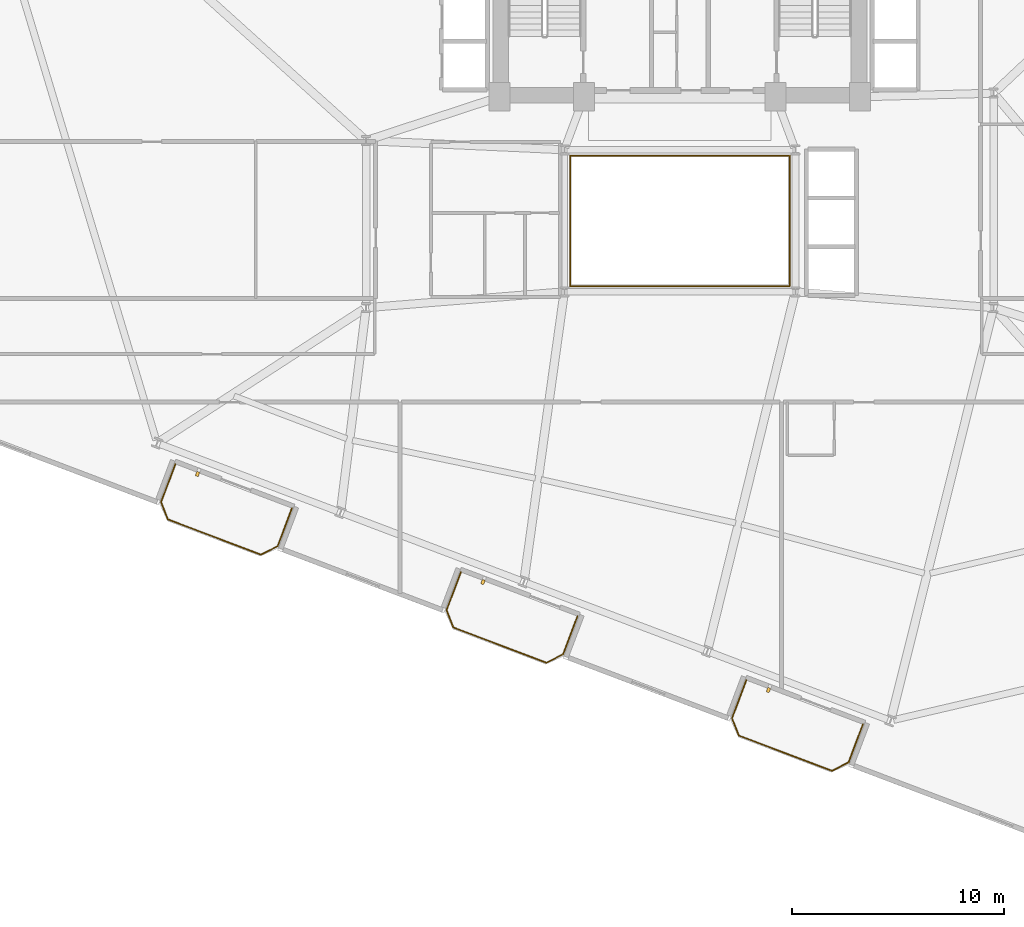
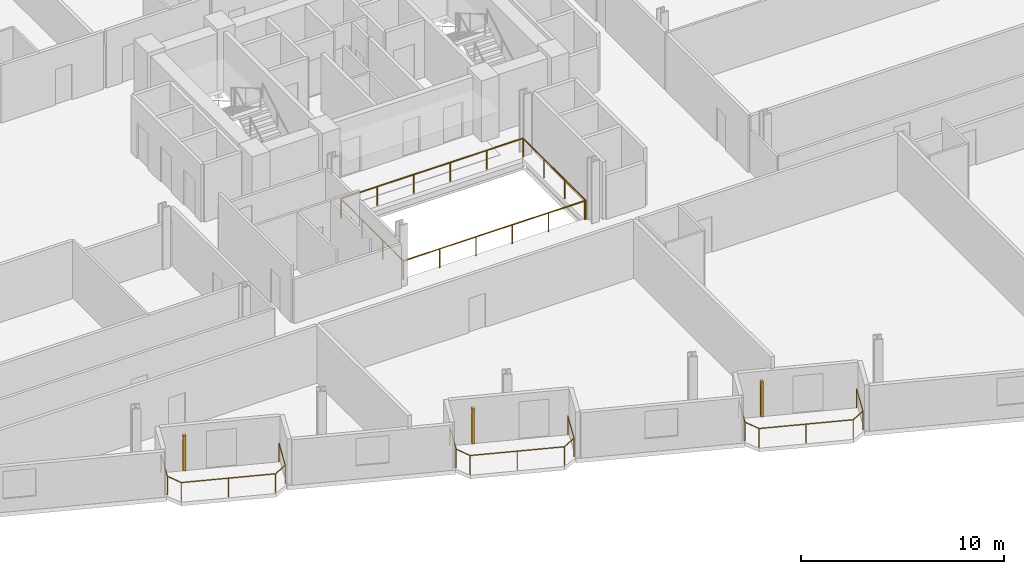
# One storey, part 22 of 24: 5 railings, 3 shading devices.
"""IFC4 building model written with IfcOpenShell, lengths in metres."""

from ifc_helpers import new_model, si_unit, direction, frame, origin, origin_2d, place, context, subcontext, project, spatial, rectangle, circle, extrude, source, transform, mapped, material, type_object, element, save


model = new_model("IFC4")

# Units and contexts
model_context = context("Model", 3, precision=1e-05, world=origin(), true_north=direction((0.0, 1.0)))
body_context = subcontext(model_context, "Body", "Model", "MODEL_VIEW")
ifc_project = project(units=[si_unit("LENGTHUNIT", "METRE"), si_unit("AREAUNIT", "SQUARE_METRE"), si_unit("VOLUMEUNIT", "CUBIC_METRE"), si_unit("PLANEANGLEUNIT", "RADIAN"), si_unit("MASSUNIT", "GRAM", prefix="KILO")], contexts=[model_context])

# Site, building, storey
site_placement = place(None, origin())
site = spatial("IfcSite", under=ifc_project, at=site_placement, CompositionType="ELEMENT")
building_placement = place(site_placement, origin())
building = spatial("IfcBuilding", under=site, at=building_placement, Name="Varnelok Gate Tower", CompositionType="ELEMENT")
storey_placement = place(building_placement, frame((0.0, 0.0, 94.699951171875)))
storey = spatial("IfcBuildingStorey", under=building, at=storey_placement, Name="L23", CompositionType="ELEMENT", Elevation=94.699951171875)

# Railings
ifc_material_1 = material(Name="Tempered Laminated Balustrade Glass", Category="glass")
railing_type_1 = type_object("IfcRailingType", Name="RL-ATR-GUARD1150", PredefinedType="GUARDRAIL", material=ifc_material_1)
railing_1_placement = place(storey_placement, frame((34.02001953125, 25.929931640625, 0.0)))
element("IfcRailing", 1, at=railing_1_placement, inside=storey, type_object=railing_type_1, Name="L23 Internal Atrium South-West Guardrail", PredefinedType="GUARDRAIL", context=body_context, shape_type="SweptSolid", body=[
    extrude(circle(Radius=0.02392578125, at=origin_2d()), frame((0.0, 0.0, 1.1259765625), z_axis=(0.0, -1.0, 0.0), x_axis=(1.0, 0.0, 0.0)), (0.0, 0.0, 1.0), 6.10986328125),
    extrude(circle(Radius=0.02392578125, at=origin_2d()), frame((0.0, -6.10986328125, 1.1259765625), z_axis=(1.0, 0.0, 0.0), x_axis=(0.0, 1.0, 0.0)), (0.0, 0.0, 1.0), 10.31005859375),
    extrude(circle(Radius=0.02099609375, at=origin_2d()), origin(), (0.0, 0.0, 1.0), 1.101806640625),
    extrude(circle(Radius=0.02099609375, at=origin_2d()), frame((0.0, -2.03662109375, 0.0)), (0.0, 0.0, 1.0), 1.101806640625),
    extrude(circle(Radius=0.02099609375, at=origin_2d()), frame((0.0, -4.0732421875, 0.0)), (0.0, 0.0, 1.0), 1.101806640625),
    extrude(circle(Radius=0.02099609375, at=origin_2d()), frame((0.0, -6.10986328125, 0.0)), (0.0, 0.0, 1.0), 1.101806640625),
    extrude(circle(Radius=0.02099609375, at=origin_2d()), frame((2.06201171875, -6.10986328125, 0.0)), (0.0, 0.0, 1.0), 1.101806640625),
    extrude(circle(Radius=0.02099609375, at=origin_2d()), frame((4.1240234375, -6.10986328125, 0.0)), (0.0, 0.0, 1.0), 1.101806640625),
    extrude(circle(Radius=0.02099609375, at=origin_2d()), frame((6.18603515625, -6.10986328125, 0.0)), (0.0, 0.0, 1.0), 1.101806640625),
    extrude(circle(Radius=0.02099609375, at=origin_2d()), frame((8.248046875, -6.10986328125, 0.0)), (0.0, 0.0, 1.0), 1.101806640625),
    extrude(circle(Radius=0.02099609375, at=origin_2d()), frame((10.31005859375, -6.10986328125, 0.0)), (0.0, 0.0, 1.0), 1.101806640625),
])
railing_2_placement = place(storey_placement, frame((44.3798828125, 19.820068359375, 0.0)))
element("IfcRailing", 2, at=railing_2_placement, inside=storey, type_object=railing_type_1, Name="L23 Internal Atrium North-East Guardrail", PredefinedType="GUARDRAIL", context=body_context, shape_type="SweptSolid", body=[
    extrude(circle(Radius=0.02392578125, at=origin_2d()), frame((0.0, 0.0, 1.1259765625), z_axis=(0.0, 1.0, 0.0), x_axis=(-1.0, 0.0, 0.0)), (0.0, 0.0, 1.0), 6.159912109375),
    extrude(circle(Radius=0.02392578125, at=origin_2d()), frame((0.0, 6.159912109375, 1.1259765625), z_axis=(-1.0, 0.0, 0.0), x_axis=(0.0, -1.0, 0.0)), (0.0, 0.0, 1.0), 10.35986328125),
    extrude(circle(Radius=0.02099609375, at=origin_2d()), origin(), (0.0, 0.0, 1.0), 1.101806640625),
    extrude(circle(Radius=0.02099609375, at=origin_2d()), frame((0.0, 2.05322265625, 0.0)), (0.0, 0.0, 1.0), 1.101806640625),
    extrude(circle(Radius=0.02099609375, at=origin_2d()), frame((0.0, 4.106689453125, 0.0)), (0.0, 0.0, 1.0), 1.101806640625),
    extrude(circle(Radius=0.02099609375, at=origin_2d()), frame((0.0, 6.159912109375, 0.0)), (0.0, 0.0, 1.0), 1.101806640625),
    extrude(circle(Radius=0.02099609375, at=origin_2d()), frame((-2.072021484375, 6.159912109375, 0.0)), (0.0, 0.0, 1.0), 1.101806640625),
    extrude(circle(Radius=0.02099609375, at=origin_2d()), frame((-4.14404296875, 6.159912109375, 0.0)), (0.0, 0.0, 1.0), 1.101806640625),
    extrude(circle(Radius=0.02099609375, at=origin_2d()), frame((-6.2158203125, 6.159912109375, 0.0)), (0.0, 0.0, 1.0), 1.101806640625),
    extrude(circle(Radius=0.02099609375, at=origin_2d()), frame((-8.287841796875, 6.159912109375, 0.0)), (0.0, 0.0, 1.0), 1.101806640625),
    extrude(circle(Radius=0.02099609375, at=origin_2d()), frame((-10.35986328125, 6.159912109375, 0.0)), (0.0, 0.0, 1.0), 1.101806640625),
])
ifc_material_2 = material(Name="Low-E Laminated Double Glazing IGU", Category="glass")
railing_type_2 = type_object("IfcRailingType", Name="RL-BALC-1150", PredefinedType="BALUSTRADE", material=ifc_material_2)
railing_3_placement = place(storey_placement, frame((15.40625, 11.42578125, 0.0)))
element("IfcRailing", 3, at=railing_3_placement, inside=storey, type_object=railing_type_2, Name="L23 South Terrace Balustrade 1", PredefinedType="BALUSTRADE", context=body_context, shape_type="SweptSolid", body=[
    extrude(circle(Radius=0.02392578125, at=origin_2d()), frame((0.0, 0.0, 1.1259765625), z_axis=(-0.354006333352, -0.935243025073, 0.0), x_axis=(0.935243025073, -0.354006333352, 0.0)), (0.0, 0.0, 1.0), 1.919921875),
    extrude(circle(Radius=0.02392578125, at=origin_2d()), frame((-0.6796875, -1.795654296875, 1.1259765625), z_axis=(0.366254584666, -0.930514685113, 0.0), x_axis=(0.930514685113, 0.366254584666, 0.0)), (0.0, 0.0, 1.0), 0.8779296875),
    extrude(circle(Radius=0.02392578125, at=origin_2d()), frame((-0.358154296875, -2.612548828125, 1.1259765625), z_axis=(0.935223045203, -0.354059113314, 0.0), x_axis=(0.354059113314, 0.935223045203, 0.0)), (0.0, 0.0, 1.0), 4.699951171875),
    extrude(circle(Radius=0.02392578125, at=origin_2d()), frame((4.037353515625, -4.276611328125, 1.1259765625), z_axis=(0.89078254773, 0.454429810487, 0.0), x_axis=(-0.454429810487, 0.89078254773, 0.0)), (0.0, 0.0, 1.0), 0.8779296875),
    extrude(circle(Radius=0.02392578125, at=origin_2d()), frame((4.8193359375, -3.877685546875, 1.1259765625), z_axis=(0.354117547856, 0.935200920819, 0.0), x_axis=(-0.935200920819, 0.354117547856, 0.0)), (0.0, 0.0, 1.0), 1.920166015625),
    extrude(circle(Radius=0.02099609375, at=origin_2d()), origin(), (0.0, 0.0, 1.0), 1.101806640625),
    extrude(circle(Radius=0.02099609375, at=origin_2d()), frame((-0.6796875, -1.795654296875, 0.0)), (0.0, 0.0, 1.0), 1.101806640625),
    extrude(circle(Radius=0.02099609375, at=origin_2d()), frame((-0.358154296875, -2.612548828125, 0.0)), (0.0, 0.0, 1.0), 1.101806640625),
    extrude(circle(Radius=0.02099609375, at=origin_2d()), frame((1.839599609375, -3.444580078125, 0.0)), (0.0, 0.0, 1.0), 1.101806640625),
    extrude(circle(Radius=0.02099609375, at=origin_2d()), frame((4.037353515625, -4.276611328125, 0.0)), (0.0, 0.0, 1.0), 1.101806640625),
    extrude(circle(Radius=0.02099609375, at=origin_2d()), frame((4.8193359375, -3.877685546875, 0.0)), (0.0, 0.0, 1.0), 1.101806640625),
    extrude(circle(Radius=0.02099609375, at=origin_2d()), frame((5.499267578125, -2.08203125, 0.0)), (0.0, 0.0, 1.0), 1.101806640625),
])
railing_4_placement = place(storey_placement, frame((28.87353515625, 6.3271484375, 0.0)))
element("IfcRailing", 4, at=railing_4_placement, inside=storey, type_object=railing_type_2, Name="L23 South Terrace Balustrade 2", PredefinedType="BALUSTRADE", context=body_context, shape_type="SweptSolid", body=[
    extrude(circle(Radius=0.02392578125, at=origin_2d()), frame((0.0, 0.0, 1.1259765625), z_axis=(-0.354117547856, -0.935200920819, 0.0), x_axis=(0.935200920819, -0.354117547856, 0.0)), (0.0, 0.0, 1.0), 1.920166015625),
    extrude(circle(Radius=0.02392578125, at=origin_2d()), frame((-0.679931640625, -1.795654296875, 1.1259765625), z_axis=(0.36659018357, -0.930382522036, 0.0), x_axis=(0.930382522036, 0.36659018357, 0.0)), (0.0, 0.0, 1.0), 0.877685546875),
    extrude(circle(Radius=0.02392578125, at=origin_2d()), frame((-0.358154296875, -2.6123046875, 1.1259765625), z_axis=(0.935223045203, -0.354059113314, 0.0), x_axis=(0.354059113314, 0.935223045203, 0.0)), (0.0, 0.0, 1.0), 4.699951171875),
    extrude(circle(Radius=0.02392578125, at=origin_2d()), frame((4.037353515625, -4.2763671875, 1.1259765625), z_axis=(0.89078254773, 0.454429810487, 0.0), x_axis=(-0.454429810487, 0.89078254773, 0.0)), (0.0, 0.0, 1.0), 0.8779296875),
    extrude(circle(Radius=0.02392578125, at=origin_2d()), frame((4.8193359375, -3.87744140625, 1.1259765625), z_axis=(0.354006333352, 0.935243025073, 0.0), x_axis=(-0.935243025073, 0.354006333352, 0.0)), (0.0, 0.0, 1.0), 1.919921875),
    extrude(circle(Radius=0.02099609375, at=origin_2d()), origin(), (0.0, 0.0, 1.0), 1.101806640625),
    extrude(circle(Radius=0.02099609375, at=origin_2d()), frame((-0.679931640625, -1.795654296875, 0.0)), (0.0, 0.0, 1.0), 1.101806640625),
    extrude(circle(Radius=0.02099609375, at=origin_2d()), frame((-0.358154296875, -2.6123046875, 0.0)), (0.0, 0.0, 1.0), 1.101806640625),
    extrude(circle(Radius=0.02099609375, at=origin_2d()), frame((1.839599609375, -3.4443359375, 0.0)), (0.0, 0.0, 1.0), 1.101806640625),
    extrude(circle(Radius=0.02099609375, at=origin_2d()), frame((4.037353515625, -4.2763671875, 0.0)), (0.0, 0.0, 1.0), 1.101806640625),
    extrude(circle(Radius=0.02099609375, at=origin_2d()), frame((4.8193359375, -3.87744140625, 0.0)), (0.0, 0.0, 1.0), 1.101806640625),
    extrude(circle(Radius=0.02099609375, at=origin_2d()), frame((5.4990234375, -2.081787109375, 0.0)), (0.0, 0.0, 1.0), 1.101806640625),
])
railing_5_placement = place(storey_placement, frame((42.3408203125, 1.228759765625, 0.0)))
element("IfcRailing", 5, at=railing_5_placement, inside=storey, type_object=railing_type_2, Name="L23 South Terrace Balustrade 3", PredefinedType="BALUSTRADE", context=body_context, shape_type="SweptSolid", body=[
    extrude(circle(Radius=0.02392578125, at=origin_2d()), frame((0.0, 0.0, 1.1259765625), z_axis=(-0.354117547856, -0.935200920819, 0.0), x_axis=(0.935200920819, -0.354117547856, 0.0)), (0.0, 0.0, 1.0), 1.920166015625),
    extrude(circle(Radius=0.02392578125, at=origin_2d()), frame((-0.679931640625, -1.795654296875, 1.1259765625), z_axis=(0.366254584666, -0.930514685113, 0.0), x_axis=(0.930514685113, 0.366254584666, 0.0)), (0.0, 0.0, 1.0), 0.8779296875),
    extrude(circle(Radius=0.02392578125, at=origin_2d()), frame((-0.3583984375, -2.612548828125, 1.1259765625), z_axis=(0.935229556479, -0.354041913744, 0.0), x_axis=(0.354041913744, 0.935229556479, 0.0)), (0.0, 0.0, 1.0), 4.7001953125),
    extrude(circle(Radius=0.02392578125, at=origin_2d()), frame((4.037353515625, -4.276611328125, 1.1259765625), z_axis=(0.890612455555, 0.454763074589, 0.0), x_axis=(-0.454763074589, 0.890612455555, 0.0)), (0.0, 0.0, 1.0), 0.877685546875),
    extrude(circle(Radius=0.02392578125, at=origin_2d()), frame((4.819091796875, -3.87744140625, 1.1259765625), z_axis=(0.354159661475, 0.935184973245, 0.0), x_axis=(-0.935184973245, 0.354159661475, 0.0)), (0.0, 0.0, 1.0), 1.919921875),
    extrude(circle(Radius=0.02099609375, at=origin_2d()), origin(), (0.0, 0.0, 1.0), 1.101806640625),
    extrude(circle(Radius=0.02099609375, at=origin_2d()), frame((-0.679931640625, -1.795654296875, 0.0)), (0.0, 0.0, 1.0), 1.101806640625),
    extrude(circle(Radius=0.02099609375, at=origin_2d()), frame((-0.3583984375, -2.612548828125, 0.0)), (0.0, 0.0, 1.0), 1.101806640625),
    extrude(circle(Radius=0.02099609375, at=origin_2d()), frame((1.83935546875, -3.444580078125, 0.0)), (0.0, 0.0, 1.0), 1.101806640625),
    extrude(circle(Radius=0.02099609375, at=origin_2d()), frame((4.037353515625, -4.276611328125, 0.0)), (0.0, 0.0, 1.0), 1.101806640625),
    extrude(circle(Radius=0.02099609375, at=origin_2d()), frame((4.819091796875, -3.87744140625, 0.0)), (0.0, 0.0, 1.0), 1.101806640625),
    extrude(circle(Radius=0.02099609375, at=origin_2d()), frame((5.4990234375, -2.08203125, 0.0)), (0.0, 0.0, 1.0), 1.101806640625),
])

# Shading devices
ifc_material_3 = material(Name="Glazed Architectural Terracotta Ceramic", Category="masonry")
shading_device_type = type_object("IfcShadingDeviceType", Name="SHD-TERRA-FIN", PredefinedType="USERDEFINED", material=ifc_material_3)
shared_shape = source(origin(), body_context, "Body", "SweptSolid", [
    extrude(rectangle(XDim=0.139892578125, YDim=0.219970703125, at=origin_2d()), origin(), (0.0, 0.0, 1.0), 2.10009765625),
])
for number, where, z_axis, x_axis, name in (
    (6, (16.44775390625, 10.95654296875, 0.10009765625), (0.0, 0.0, 1.0), (0.935221751401, -0.354062530786, 0.0), "L23 Terracotta Ceramic Baguette Sunscreen 1.1"),
    (7, (29.914794921875, 5.858154296875, 0.10009765625), (0.0, 0.0, 1.0), (0.935221751401, -0.354062530786, 0.0), "L23 Terracotta Ceramic Baguette Sunscreen 2.1"),
    (8, (43.382080078125, 0.759521484375, 0.10009765625), (0.0, 0.0, 1.0), (0.935221751401, -0.354062530786, 0.0), "L23 Terracotta Ceramic Baguette Sunscreen 3.1"),
):
    element("IfcShadingDevice", number, at=place(storey_placement, frame(where, z_axis=z_axis, x_axis=x_axis)), inside=storey, type_object=shading_device_type, Name=name, ObjectType="BAGUETTE", PredefinedType="USERDEFINED", context=body_context, shape_type="MappedRepresentation", body=[
        mapped(shared_shape, transform((0.0, 0.0, 0.0), scale=1.0)),
    ])

save(model, "model.ifc")
